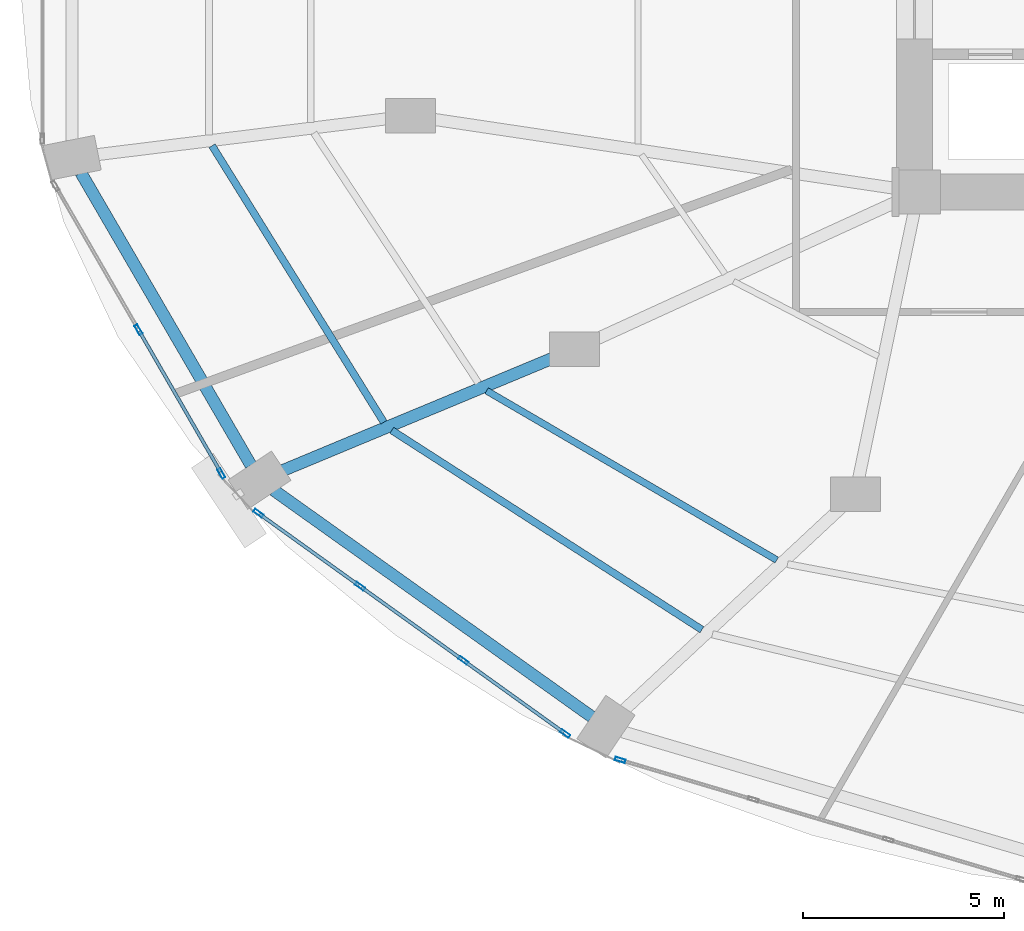
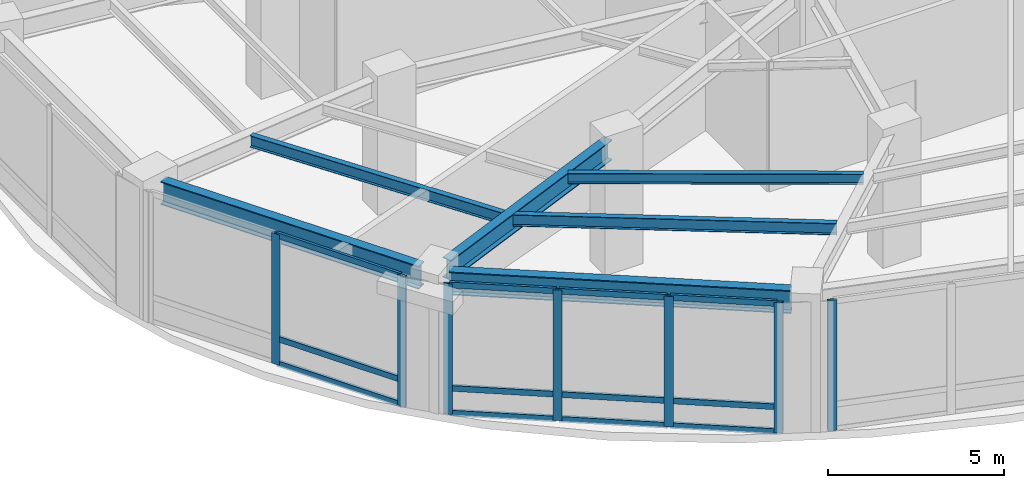
# One storey, part 2 of 24: 19 members, 6 beams, 3 elements without a shape of their own.
"""IFC4 building model written with IfcOpenShell, lengths in metres."""

from ifc_helpers import new_model, si_unit, direction, frame, origin, origin_2d, place, context, subcontext, project, spatial, hollow_rectangle, i_section, extrude, material, layer, layer_set, material_profile, profile_set, type_object, element, aggregate, save


model = new_model("IFC4")

# Units and contexts
model_context = context("Model", 3, precision=1e-05, world=origin(), true_north=direction((0.0, 1.0)))
body_context = subcontext(model_context, "Body", "Model", "MODEL_VIEW")
ifc_project = project(units=[si_unit("LENGTHUNIT", "METRE"), si_unit("AREAUNIT", "SQUARE_METRE"), si_unit("VOLUMEUNIT", "CUBIC_METRE"), si_unit("PLANEANGLEUNIT", "RADIAN"), si_unit("MASSUNIT", "GRAM", prefix="KILO")], contexts=[model_context])

# Site, building, storey
site_placement = place(None, origin())
site = spatial("IfcSite", under=ifc_project, at=site_placement, CompositionType="ELEMENT")
building_placement = place(site_placement, origin())
building = spatial("IfcBuilding", under=site, at=building_placement, Name="Lazwardi Medical Tower", CompositionType="ELEMENT")
storey_placement = place(building_placement, frame((0.0, 0.0, 15.60009765625)))
storey = spatial("IfcBuildingStorey", under=building, at=storey_placement, Name="L03", CompositionType="ELEMENT", Elevation=15.60009765625)

# Beams
ifc_material_1 = material(Name="Steel S355", Category="steel")
ifc_material_profile_1 = material_profile(ifc_material_1, i_section(OverallWidth=0.300048828125, OverallDepth=0.800048828125, WebThickness=0.017578125, FlangeThickness=0.032958984375, at=origin_2d()), Name="HEB 800")
ifc_profile_set_1 = profile_set([ifc_material_profile_1], Name="Steel S355")
beam_type_1 = type_object("IfcBeamType", Name="BM-RB-P1", PredefinedType="BEAM", material=ifc_profile_set_1)
beam_1_placement = place(storey_placement, frame((5.517578125, 20.877685546875, 4.119873046875), z_axis=(0.502605874383, -0.864515665003, 0.0), x_axis=(0.864515665003, 0.502605874383, 0.0)))
element("IfcBeam", 1, at=beam_1_placement, inside=storey, type_object=beam_type_1, Name="Ring beam RB-01 B13 L03", PredefinedType="BEAM", context=body_context, shape_type="SweptSolid", body=[
    extrude(i_section(OverallWidth=0.300048828125, OverallDepth=0.800048828125, WebThickness=0.017578125, FlangeThickness=0.032958984375, at=origin_2d()), origin(), (0.0, 0.0, 1.0), 8.4384765625),
])
beam_2_placement = place(storey_placement, frame((10.3251953125, 12.961181640625, 4.119873046875), z_axis=(0.814437186887, -0.580251728663, 0.0), x_axis=(0.580251728663, 0.814437186887, 0.0)))
element("IfcBeam", 2, at=beam_2_placement, inside=storey, type_object=beam_type_1, Name="Ring beam RB-01 B14 L03", PredefinedType="BEAM", context=body_context, shape_type="SweptSolid", body=[
    extrude(i_section(OverallWidth=0.300048828125, OverallDepth=0.800048828125, WebThickness=0.017578125, FlangeThickness=0.032958984375, at=origin_2d()), origin(), (0.0, 0.0, 1.0), 9.743408203125),
])
ifc_material_profile_2 = material_profile(ifc_material_1, i_section(OverallWidth=0.300048828125, OverallDepth=0.699951171875, WebThickness=0.01708984375, FlangeThickness=0.031982421875, at=origin_2d()), Name="HEB 700")
ifc_profile_set_2 = profile_set([ifc_material_profile_2], Name="Steel S355")
beam_type_2 = type_object("IfcBeamType", Name="BM-RG-P1", PredefinedType="BEAM", material=ifc_profile_set_2)
beam_3_placement = place(storey_placement, frame((10.510498046875, 13.43359375, 4.169921875), z_axis=(0.923279462658, 0.38412892866, 0.0), x_axis=(-0.38412892866, 0.923279462658, 0.0)))
element("IfcBeam", 3, at=beam_3_placement, inside=storey, type_object=beam_type_2, Name="Radial girder RG-01 R14A L03", PredefinedType="BEAM", context=body_context, shape_type="SweptSolid", body=[
    extrude(i_section(OverallWidth=0.300048828125, OverallDepth=0.699951171875, WebThickness=0.01708984375, FlangeThickness=0.031982421875, at=origin_2d()), origin(), (0.0, 0.0, 1.0), 7.52001953125),
])
ifc_material_profile_3 = material_profile(ifc_material_1, i_section(OverallWidth=0.179931640625, OverallDepth=0.39990234375, WebThickness=0.008544921875, FlangeThickness=0.013427734375, at=origin_2d()), Name="IPE 400")
ifc_profile_set_3 = profile_set([ifc_material_profile_3], Name="Steel S355")
beam_type_3 = type_object("IfcBeamType", Name="BM-SJ-01", PredefinedType="JOIST", material=ifc_profile_set_3)
beam_4_placement = place(storey_placement, frame((8.78955078125, 21.548828125, 4.31982421875), z_axis=(0.527696026634, -0.84943328371, 0.0), x_axis=(0.84943328371, 0.527696026634, 0.0)))
element("IfcBeam", 4, at=beam_4_placement, inside=storey, type_object=beam_type_3, Name="Secondary joist SJ-01 RO1 B13 L03", PredefinedType="JOIST", context=body_context, shape_type="SweptSolid", body=[
    extrude(i_section(OverallWidth=0.179931640625, OverallDepth=0.39990234375, WebThickness=0.008544921875, FlangeThickness=0.013427734375, at=origin_2d()), origin(), (0.0, 0.0, 1.0), 8.116455078125),
])
beam_5_placement = place(storey_placement, frame((13.27099609375, 14.452880859375, 4.31982421875), z_axis=(0.841096497971, -0.540885090477, 0.0), x_axis=(0.540885090477, 0.841096497971, 0.0)))
element("IfcBeam", 5, at=beam_5_placement, inside=storey, type_object=beam_type_3, Name="Secondary joist SJ-01 RO1 B14 L03", PredefinedType="JOIST", context=body_context, shape_type="SweptSolid", body=[
    extrude(i_section(OverallWidth=0.179931640625, OverallDepth=0.39990234375, WebThickness=0.008544921875, FlangeThickness=0.013427734375, at=origin_2d()), origin(), (0.0, 0.0, 1.0), 9.193603515625),
])
ifc_material_profile_4 = material_profile(ifc_material_1, i_section(OverallWidth=0.169921875, OverallDepth=0.360107421875, WebThickness=0.008056640625, FlangeThickness=0.0126953125, at=origin_2d()), Name="IPE 360")
ifc_profile_set_4 = profile_set([ifc_material_profile_4], Name="Steel S355")
beam_type_4 = type_object("IfcBeamType", Name="BM-SJ-02", PredefinedType="JOIST", material=ifc_profile_set_4)
beam_6_placement = place(storey_placement, frame((15.634765625, 15.4404296875, 4.33984375), z_axis=(0.863708078394, -0.503992415932, 0.0), x_axis=(0.503992415932, 0.863708078394, 0.0)))
element("IfcBeam", 6, at=beam_6_placement, inside=storey, type_object=beam_type_4, Name="Secondary joist SJ-02 RO2 B14 L03", PredefinedType="JOIST", context=body_context, shape_type="SweptSolid", body=[
    extrude(i_section(OverallWidth=0.169921875, OverallDepth=0.360107421875, WebThickness=0.008056640625, FlangeThickness=0.0126953125, at=origin_2d()), origin(), (0.0, 0.0, 1.0), 8.3779296875),
])

# Curtain wall, members
ifc_material_2 = material(Name="Anodised bronze aluminium and solar control glazing", Category="aluminium")
ifc_layer = layer(ifc_material_2, 0.219970703125)
ifc_layer_set = layer_set([ifc_layer], Name="Anodised bronze aluminium and solar control glazing")
curtain_wall_type = type_object("IfcCurtainWallType", Name="CW-SYS-01", PredefinedType="NOTDEFINED", material=ifc_layer_set)
curtain_wall_1_placement = place(storey_placement, origin())
curtain_wall_1 = element("IfcCurtainWall", 7, at=curtain_wall_1_placement, inside=storey, type_object=curtain_wall_type, Name="L03 Unitised bronze curtain wall CW-01", PredefinedType="NOTDEFINED")
ifc_material_3 = material(Name="Anodised bronze aluminium", Category="aluminium")
ifc_material_profile_5 = material_profile(ifc_material_3, hollow_rectangle(XDim=0.0849609375, YDim=0.260009765625, WallThickness=0.0048828125, at=origin_2d()), Name="ALU-MULLION 260x85x5")
ifc_profile_set_5 = profile_set([ifc_material_profile_5], Name="Anodised bronze aluminium")
member_type_1 = type_object("IfcMemberType", Name="CW-MUL-02", PredefinedType="MULLION", material=ifc_profile_set_5)
member_1_placement = place(storey_placement, frame((6.95361328125, 16.9619140625, 0.0), z_axis=(0.0, 0.0, 1.0), x_axis=(0.866180607783, 0.499731082384, 0.0)))
member_1 = element("IfcMember", 8, at=member_1_placement, type_object=member_type_1, Name="CW-01 mullion 2", PredefinedType="MULLION", context=body_context, shape_type="SweptSolid", body=[
    extrude(hollow_rectangle(XDim=0.0849609375, YDim=0.260009765625, WallThickness=0.0048828125, at=origin_2d()), origin(), (0.0, 0.0, 1.0), 4.52001953125),
])
member_2_placement = place(storey_placement, frame((9.021240234375, 13.3779296875, 0.0), z_axis=(0.0, 0.0, 1.0), x_axis=(0.866180607783, 0.499731082384, 0.0)))
member_2 = element("IfcMember", 9, at=member_2_placement, type_object=member_type_1, Name="CW-01 mullion 3", PredefinedType="MULLION", context=body_context, shape_type="SweptSolid", body=[
    extrude(hollow_rectangle(XDim=0.0849609375, YDim=0.260009765625, WallThickness=0.0048828125, at=origin_2d()), origin(), (0.0, 0.0, 1.0), 4.52001953125),
])

curtain_wall_2_placement = place(storey_placement, origin())
curtain_wall_2 = element("IfcCurtainWall", 10, at=curtain_wall_2_placement, inside=storey, type_object=curtain_wall_type, Name="L03 Unitised bronze curtain wall CW-01", PredefinedType="NOTDEFINED")
member_3_placement = place(storey_placement, frame((9.943359375, 12.385498046875, 0.0), z_axis=(0.0, 0.0, 1.0), x_axis=(0.583214260584, 0.812318365083, 0.0)))
member_3 = element("IfcMember", 11, at=member_3_placement, type_object=member_type_1, Name="CW-01 mullion 1", PredefinedType="MULLION", context=body_context, shape_type="SweptSolid", body=[
    extrude(hollow_rectangle(XDim=0.0849609375, YDim=0.260009765625, WallThickness=0.0048828125, at=origin_2d()), origin(), (0.0, 0.0, 1.0), 4.52001953125),
])
member_4_placement = place(storey_placement, frame((12.482177734375, 10.562744140625, 0.0), z_axis=(0.0, 0.0, 1.0), x_axis=(0.583214260584, 0.812318365083, 0.0)))
member_4 = element("IfcMember", 12, at=member_4_placement, type_object=member_type_1, Name="CW-01 mullion 2", PredefinedType="MULLION", context=body_context, shape_type="SweptSolid", body=[
    extrude(hollow_rectangle(XDim=0.0849609375, YDim=0.260009765625, WallThickness=0.0048828125, at=origin_2d()), origin(), (0.0, 0.0, 1.0), 4.52001953125),
])
member_5_placement = place(storey_placement, frame((15.055419921875, 8.71533203125, 0.0), z_axis=(0.0, 0.0, 1.0), x_axis=(0.583214260584, 0.812318365083, 0.0)))
member_5 = element("IfcMember", 13, at=member_5_placement, type_object=member_type_1, Name="CW-01 mullion 3", PredefinedType="MULLION", context=body_context, shape_type="SweptSolid", body=[
    extrude(hollow_rectangle(XDim=0.0849609375, YDim=0.260009765625, WallThickness=0.0048828125, at=origin_2d()), origin(), (0.0, 0.0, 1.0), 4.52001953125),
])
member_6_placement = place(storey_placement, frame((17.59423828125, 6.892578125, 0.0), z_axis=(0.0, 0.0, 1.0), x_axis=(0.583214260584, 0.812318365083, 0.0)))
member_6 = element("IfcMember", 14, at=member_6_placement, type_object=member_type_1, Name="CW-01 mullion 4", PredefinedType="MULLION", context=body_context, shape_type="SweptSolid", body=[
    extrude(hollow_rectangle(XDim=0.0849609375, YDim=0.260009765625, WallThickness=0.0048828125, at=origin_2d()), origin(), (0.0, 0.0, 1.0), 4.52001953125),
])

# Curtain wall, member
curtain_wall_3_placement = place(storey_placement, origin())
curtain_wall_3 = element("IfcCurtainWall", 15, at=curtain_wall_3_placement, inside=storey, type_object=curtain_wall_type, Name="L03 Unitised bronze curtain wall CW-01", PredefinedType="NOTDEFINED")
member_7_placement = place(storey_placement, frame((18.966064453125, 6.233642578125, 0.0), z_axis=(0.0, 0.0, 1.0), x_axis=(0.285047195531, 0.958513482597, 0.0)))
member_7 = element("IfcMember", 16, at=member_7_placement, type_object=member_type_1, Name="CW-01 mullion 1", PredefinedType="MULLION", context=body_context, shape_type="SweptSolid", body=[
    extrude(hollow_rectangle(XDim=0.0849609375, YDim=0.260009765625, WallThickness=0.0048828125, at=origin_2d()), origin(), (0.0, 0.0, 1.0), 4.52001953125),
])
aggregate(curtain_wall_3, [member_7])

# Member
ifc_material_profile_6 = material_profile(ifc_material_3, hollow_rectangle(XDim=0.0849609375, YDim=0.199951171875, WallThickness=0.00439453125, at=origin_2d()), Name="ALU-TRANSOM 200x85x4.5")
ifc_profile_set_6 = profile_set([ifc_material_profile_6], Name="Anodised bronze aluminium")
member_type_2 = type_object("IfcMemberType", Name="CW-TRN-02", PredefinedType="USERDEFINED", material=ifc_profile_set_6)
member_8_placement = place(storey_placement, frame((6.974853515625, 16.925048828125, 0.04248046875), z_axis=(0.499767651026, -0.866159508975, 0.0), x_axis=(0.866159508975, 0.499767651026, 0.0)))
member_8 = element("IfcMember", 17, at=member_8_placement, type_object=member_type_2, Name="CW-01 transom 2.1", ObjectType="TRANSOM", PredefinedType="USERDEFINED", context=body_context, shape_type="SweptSolid", body=[
    extrude(hollow_rectangle(XDim=0.0849609375, YDim=0.199951171875, WallThickness=0.00439453125, at=origin_2d()), origin(), (0.0, 0.0, 1.0), 4.052734375),
])

member_9_placement = place(storey_placement, frame((6.974853515625, 16.925048828125, 0.89990234375), z_axis=(0.499767651026, -0.866159508975, 0.0), x_axis=(0.866159508975, 0.499767651026, 0.0)))
member_9 = element("IfcMember", 18, at=member_9_placement, type_object=member_type_2, Name="CW-01 transom 2.2", ObjectType="TRANSOM", PredefinedType="USERDEFINED", context=body_context, shape_type="SweptSolid", body=[
    extrude(hollow_rectangle(XDim=0.0849609375, YDim=0.199951171875, WallThickness=0.00439453125, at=origin_2d()), origin(), (0.0, 0.0, 1.0), 4.052734375),
])

member_10_placement = place(storey_placement, frame((6.974853515625, 16.925048828125, 4.477294921875), z_axis=(0.499767651026, -0.866159508975, 0.0), x_axis=(0.866159508975, 0.499767651026, 0.0)))
member_10 = element("IfcMember", 19, at=member_10_placement, type_object=member_type_2, Name="CW-01 transom 2.3", ObjectType="TRANSOM", PredefinedType="USERDEFINED", context=body_context, shape_type="SweptSolid", body=[
    extrude(hollow_rectangle(XDim=0.0849609375, YDim=0.199951171875, WallThickness=0.00439453125, at=origin_2d()), origin(), (0.0, 0.0, 1.0), 4.052734375),
])

aggregate(curtain_wall_1, [member_1, member_2, member_8, member_9, member_10])

member_11_placement = place(storey_placement, frame((9.97802734375, 12.36083984375, 0.04248046875), z_axis=(0.812314954496, -0.583219010924, 0.0), x_axis=(0.583219010924, 0.812314954496, 0.0)))
member_11 = element("IfcMember", 20, at=member_11_placement, type_object=member_type_2, Name="CW-01 transom 1.1", ObjectType="TRANSOM", PredefinedType="USERDEFINED", context=body_context, shape_type="SweptSolid", body=[
    extrude(hollow_rectangle(XDim=0.0849609375, YDim=0.199951171875, WallThickness=0.00439453125, at=origin_2d()), origin(), (0.0, 0.0, 1.0), 3.040283203125),
])

member_12_placement = place(storey_placement, frame((9.97802734375, 12.36083984375, 0.89990234375), z_axis=(0.812314954496, -0.583219010924, 0.0), x_axis=(0.583219010924, 0.812314954496, 0.0)))
member_12 = element("IfcMember", 21, at=member_12_placement, type_object=member_type_2, Name="CW-01 transom 1.2", ObjectType="TRANSOM", PredefinedType="USERDEFINED", context=body_context, shape_type="SweptSolid", body=[
    extrude(hollow_rectangle(XDim=0.0849609375, YDim=0.199951171875, WallThickness=0.00439453125, at=origin_2d()), origin(), (0.0, 0.0, 1.0), 3.040283203125),
])

member_13_placement = place(storey_placement, frame((9.97802734375, 12.36083984375, 4.477294921875), z_axis=(0.812314954496, -0.583219010924, 0.0), x_axis=(0.583219010924, 0.812314954496, 0.0)))
member_13 = element("IfcMember", 22, at=member_13_placement, type_object=member_type_2, Name="CW-01 transom 1.3", ObjectType="TRANSOM", PredefinedType="USERDEFINED", context=body_context, shape_type="SweptSolid", body=[
    extrude(hollow_rectangle(XDim=0.0849609375, YDim=0.199951171875, WallThickness=0.00439453125, at=origin_2d()), origin(), (0.0, 0.0, 1.0), 3.040283203125),
])

member_14_placement = place(storey_placement, frame((12.5166015625, 10.5380859375, 0.04248046875), z_axis=(0.81231315212, -0.583221521287, 0.0), x_axis=(0.583221521287, 0.81231315212, 0.0)))
member_14 = element("IfcMember", 23, at=member_14_placement, type_object=member_type_2, Name="CW-01 transom 2.1", ObjectType="TRANSOM", PredefinedType="USERDEFINED", context=body_context, shape_type="SweptSolid", body=[
    extrude(hollow_rectangle(XDim=0.0849609375, YDim=0.199951171875, WallThickness=0.00439453125, at=origin_2d()), origin(), (0.0, 0.0, 1.0), 3.0830078125),
])

member_15_placement = place(storey_placement, frame((12.5166015625, 10.5380859375, 0.89990234375), z_axis=(0.81231315212, -0.583221521287, 0.0), x_axis=(0.583221521287, 0.81231315212, 0.0)))
member_15 = element("IfcMember", 24, at=member_15_placement, type_object=member_type_2, Name="CW-01 transom 2.2", ObjectType="TRANSOM", PredefinedType="USERDEFINED", context=body_context, shape_type="SweptSolid", body=[
    extrude(hollow_rectangle(XDim=0.0849609375, YDim=0.199951171875, WallThickness=0.00439453125, at=origin_2d()), origin(), (0.0, 0.0, 1.0), 3.0830078125),
])

member_16_placement = place(storey_placement, frame((12.5166015625, 10.5380859375, 4.477294921875), z_axis=(0.81231315212, -0.583221521287, 0.0), x_axis=(0.583221521287, 0.81231315212, 0.0)))
member_16 = element("IfcMember", 25, at=member_16_placement, type_object=member_type_2, Name="CW-01 transom 2.3", ObjectType="TRANSOM", PredefinedType="USERDEFINED", context=body_context, shape_type="SweptSolid", body=[
    extrude(hollow_rectangle(XDim=0.0849609375, YDim=0.199951171875, WallThickness=0.00439453125, at=origin_2d()), origin(), (0.0, 0.0, 1.0), 3.0830078125),
])

member_17_placement = place(storey_placement, frame((15.090087890625, 8.6904296875, 0.04248046875), z_axis=(0.812314954496, -0.583219010924, 0.0), x_axis=(0.583219010924, 0.812314954496, 0.0)))
member_17 = element("IfcMember", 26, at=member_17_placement, type_object=member_type_2, Name="CW-01 transom 3.1", ObjectType="TRANSOM", PredefinedType="USERDEFINED", context=body_context, shape_type="SweptSolid", body=[
    extrude(hollow_rectangle(XDim=0.0849609375, YDim=0.199951171875, WallThickness=0.00439453125, at=origin_2d()), origin(), (0.0, 0.0, 1.0), 3.040283203125),
])

member_18_placement = place(storey_placement, frame((15.090087890625, 8.6904296875, 0.89990234375), z_axis=(0.812314954496, -0.583219010924, 0.0), x_axis=(0.583219010924, 0.812314954496, 0.0)))
member_18 = element("IfcMember", 27, at=member_18_placement, type_object=member_type_2, Name="CW-01 transom 3.2", ObjectType="TRANSOM", PredefinedType="USERDEFINED", context=body_context, shape_type="SweptSolid", body=[
    extrude(hollow_rectangle(XDim=0.0849609375, YDim=0.199951171875, WallThickness=0.00439453125, at=origin_2d()), origin(), (0.0, 0.0, 1.0), 3.040283203125),
])

member_19_placement = place(storey_placement, frame((15.090087890625, 8.6904296875, 4.477294921875), z_axis=(0.812314954496, -0.583219010924, 0.0), x_axis=(0.583219010924, 0.812314954496, 0.0)))
member_19 = element("IfcMember", 28, at=member_19_placement, type_object=member_type_2, Name="CW-01 transom 3.3", ObjectType="TRANSOM", PredefinedType="USERDEFINED", context=body_context, shape_type="SweptSolid", body=[
    extrude(hollow_rectangle(XDim=0.0849609375, YDim=0.199951171875, WallThickness=0.00439453125, at=origin_2d()), origin(), (0.0, 0.0, 1.0), 3.040283203125),
])

aggregate(curtain_wall_2, [member_3, member_4, member_5, member_6, member_11, member_12, member_13, member_14, member_15, member_16, member_17, member_18, member_19])

save(model, "model.ifc")
